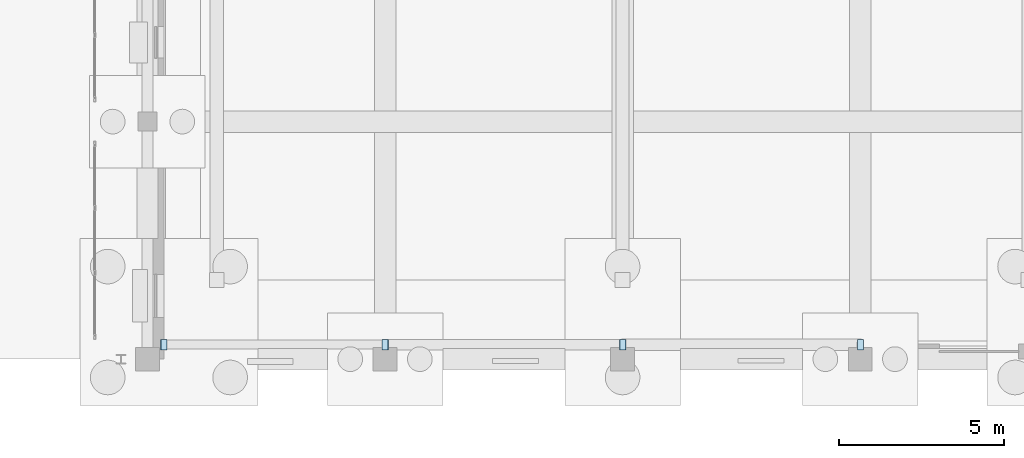
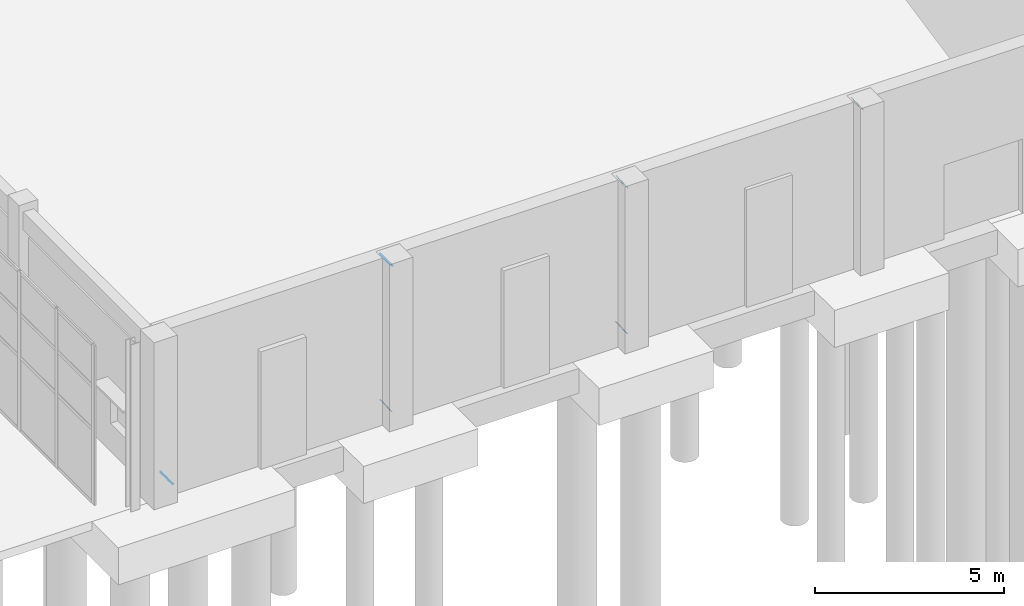
# One storey, part 63 of 91: 6 plates.
"""IFC4 building model written with IfcOpenShell, lengths in metres."""

from ifc_helpers import new_model, si_unit, direction, frame, origin, origin_2d, place, context, subcontext, project, spatial, rectangle, extrude, material, layer, layer_set, type_object, element, save


model = new_model("IFC4")

# Units and contexts
model_context = context("Model", 3, precision=1e-05, world=origin(), true_north=direction((0.0, 1.0)))
body_context = subcontext(model_context, "Body", "Model", "MODEL_VIEW")
ifc_project = project(units=[si_unit("LENGTHUNIT", "METRE"), si_unit("AREAUNIT", "SQUARE_METRE"), si_unit("VOLUMEUNIT", "CUBIC_METRE"), si_unit("PLANEANGLEUNIT", "RADIAN"), si_unit("MASSUNIT", "GRAM", prefix="KILO")], contexts=[model_context])

# Site, building, storey
site_placement = place(None, origin())
site = spatial("IfcSite", under=ifc_project, at=site_placement, CompositionType="ELEMENT")
building_placement = place(site_placement, origin())
building = spatial("IfcBuilding", under=site, at=building_placement, Name="Bramveld Media Centre", CompositionType="ELEMENT")
storey_placement = place(building_placement, origin())
storey = spatial("IfcBuildingStorey", under=building, at=storey_placement, Name="L00", CompositionType="ELEMENT", Elevation=0.0)

# Plates
ifc_material = material(Name="Steel S355J2", Category="steel")
ifc_layer = layer(ifc_material, 0.013916015625)
ifc_layer_set = layer_set([ifc_layer], Name="Steel S355J2")
plate_type = type_object("IfcPlateType", Name="PLT-CAP-14", PredefinedType="USERDEFINED", material=ifc_layer_set)
for number, where, z_axis, x_axis, name in (
    (1, (124.5, 0.43994140625, 0.25), (-0.818657473814, 0.0, -0.57428210887), (0.0, -1.0, 0.0), "Hollow section end cap plate CAP-BRC-V1-S1-0"),
    (2, (131.2001953125, 0.43994140625, 4.9501953125), (0.818657473814, 0.0, 0.57428210887), (0.0, 1.0, 0.0), "Hollow section end cap plate CAP-BRC-V1-S1-1"),
    (3, (131.199951171875, 0.43994140625, 0.25), (-0.837379150229, 0.0, -0.546622501149), (0.0, -1.0, 0.0), "Hollow section end cap plate CAP-BRC-V1-S2-0"),
    (4, (138.400146484375, 0.43994140625, 4.949951171875), (0.837379150229, 0.0, 0.546622501149), (0.0, 1.0, 0.0), "Hollow section end cap plate CAP-BRC-V1-S2-1"),
    (5, (138.39990234375, 0.43994140625, 0.25), (-0.837379150229, 0.0, -0.546622501149), (0.0, -1.0, 0.0), "Hollow section end cap plate CAP-BRC-V1-S3-0"),
    (6, (145.60009765625, 0.43994140625, 4.949951171875), (0.837379150229, 0.0, 0.546622501149), (0.0, 1.0, 0.0), "Hollow section end cap plate CAP-BRC-V1-S3-1"),
):
    element("IfcPlate", number, at=place(storey_placement, frame(where, z_axis=z_axis, x_axis=x_axis)), inside=storey, type_object=plate_type, Name=name, ObjectType="CAP PLATE", PredefinedType="USERDEFINED", context=body_context, shape_type="SweptSolid", body=[
        extrude(rectangle(XDim=0.320068359375, YDim=0.320068359375, at=origin_2d()), origin(), (0.0, 0.0, 1.0), 0.013916015625),
    ])

save(model, "model.ifc")
